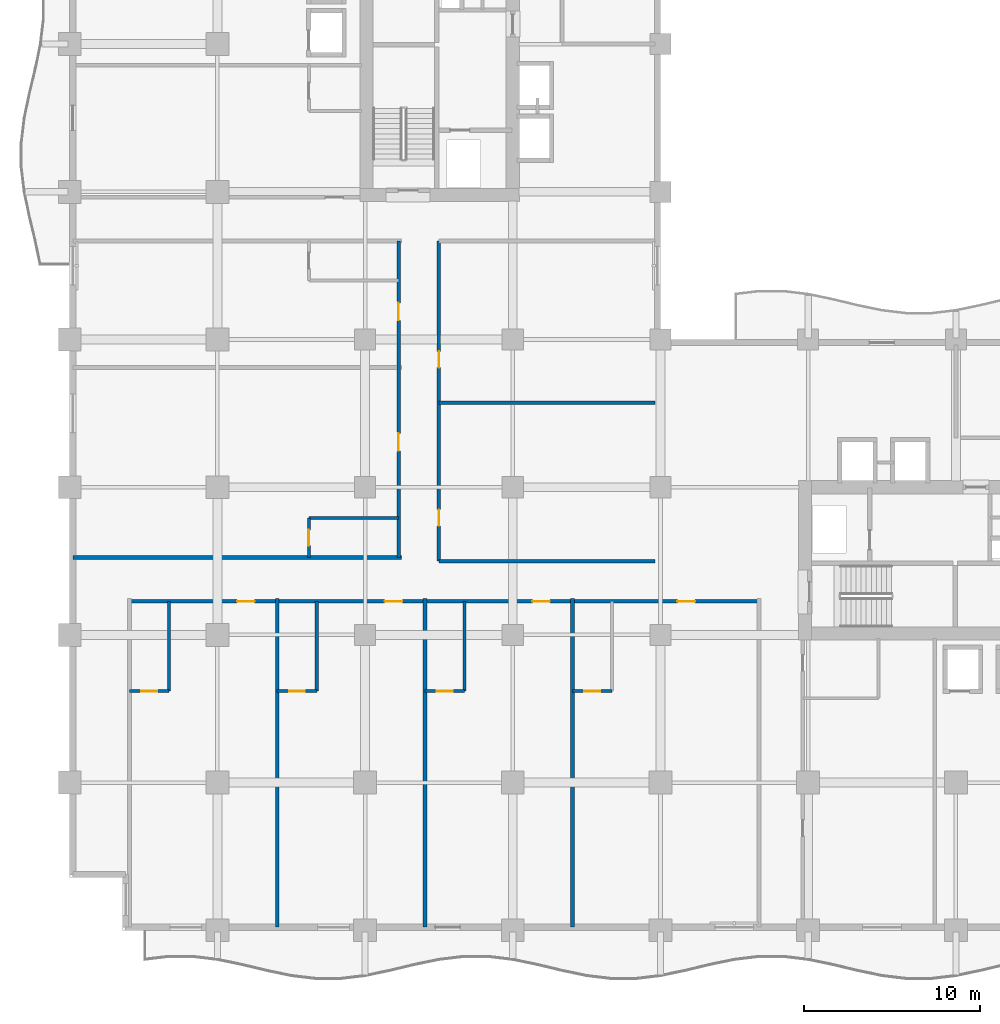
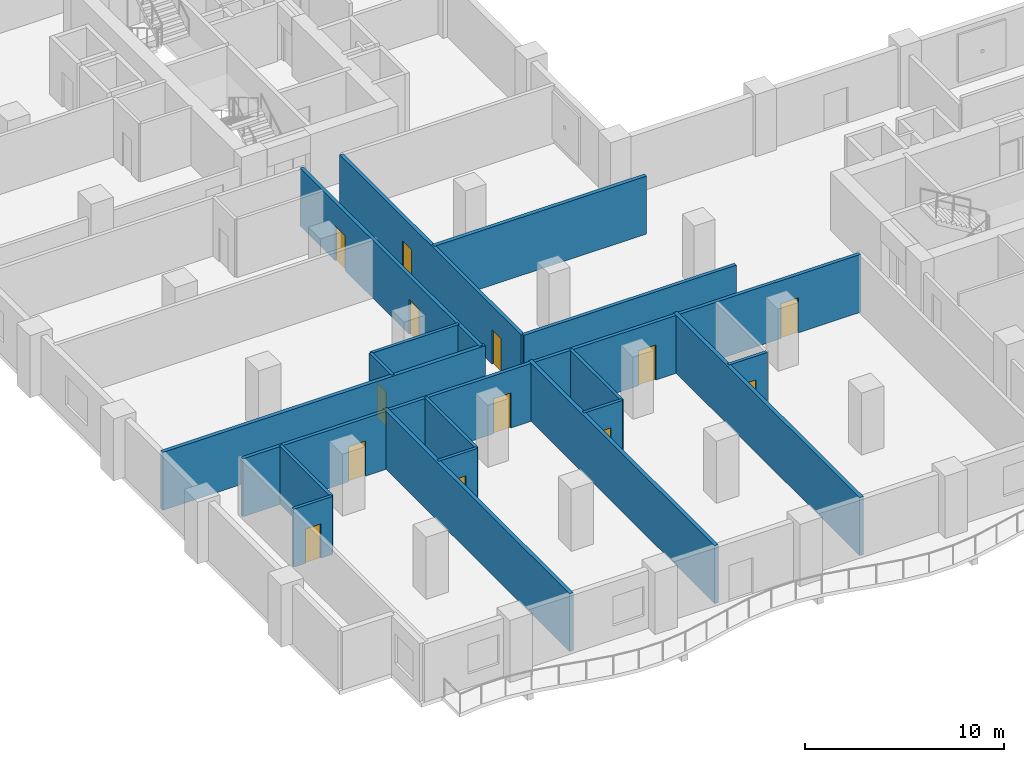
# One storey, part 4 of 18: 18 walls, 13 doors, 13 openings.
"""IFC4 building model written with IfcOpenShell, lengths in metres."""

from ifc_helpers import new_model, si_unit, direction, frame, frame_2d, origin, place, context, subcontext, project, spatial, rectangle, extrude, material, layer, layer_set, type_object, element, fill, save


model = new_model("IFC4")

# Units and contexts
model_context = context("Model", 3, precision=1e-05, world=origin(), true_north=direction((0.0, 1.0)))
body_context = subcontext(model_context, "Body", "Model", "MODEL_VIEW")
ifc_project = project(units=[si_unit("LENGTHUNIT", "METRE"), si_unit("AREAUNIT", "SQUARE_METRE"), si_unit("VOLUMEUNIT", "CUBIC_METRE"), si_unit("PLANEANGLEUNIT", "RADIAN"), si_unit("MASSUNIT", "GRAM", prefix="KILO")], contexts=[model_context])

# Site, building, storey
site_placement = place(None, origin())
site = spatial("IfcSite", under=ifc_project, at=site_placement, CompositionType="ELEMENT")
building_placement = place(site_placement, origin())
building = spatial("IfcBuilding", under=site, at=building_placement, Name="Koriwani Terraces Tower", CompositionType="ELEMENT")
storey_placement = place(building_placement, frame((0.0, 0.0, 100.0)))
storey = spatial("IfcBuildingStorey", under=building, at=storey_placement, Name="L23", CompositionType="ELEMENT", Elevation=100.0)

# Wall, openings, doors
ifc_material_1 = material(Name="Autoclaved Cellular Concrete Blockwork", Category="masonry")
ifc_layer_1 = layer(ifc_material_1, 0.199951171875, Name="Autoclaved Cellular Concrete Blockwork")
ifc_layer_set_1 = layer_set([ifc_layer_1], Name="Autoclaved Cellular Concrete Blockwork")
wall_type_1 = type_object("IfcWallType", Name="WALL_CORRIDOR_200", PredefinedType="PARTITIONING", material=ifc_layer_set_1)
wall_1_placement = place(storey_placement, frame((21.0, 21.0, 0.0), z_axis=(0.0, 0.0, 1.0), x_axis=(0.0, 1.0, 0.0)))
wall_1 = element("IfcWall", 1, at=wall_1_placement, inside=storey, type_object=wall_type_1, Name="L23 Interior Wall WIC2-W-L23", PredefinedType="PARTITIONING", context=body_context, shape_type="SweptSolid", body=[
    extrude(rectangle(XDim=18.199951171875, YDim=0.199951171875, at=frame_2d((9.10009765625, 0.0))), origin(), (0.0, 0.0, 1.0), 3.550048828125),
])
opening_1_placement = place(wall_1_placement, frame((2.0, 0.0, 0.0)))
opening_1 = element("IfcOpeningElement", 2, at=opening_1_placement, cuts=wall_1, Name="Opening D-06", PredefinedType="OPENING", context=body_context, shape_type="SweptSolid", body=[
    extrude(rectangle(XDim=0.919921875, YDim=2.10009765625, at=frame_2d((0.4599609375, 1.050048828125))), frame((0.0, 0.10986328125, 0.0), z_axis=(0.0, -1.0, 0.0), x_axis=(1.0, 0.0, 0.0)), (0.0, 0.0, 1.0), 0.219970703125),
])
opening_2_placement = place(wall_1_placement, frame((11.0, 0.0, 0.0)))
opening_2 = element("IfcOpeningElement", 3, at=opening_2_placement, cuts=wall_1, Name="Opening D-06", PredefinedType="OPENING", context=body_context, shape_type="SweptSolid", body=[
    extrude(rectangle(XDim=0.919921875, YDim=2.10009765625, at=frame_2d((0.4599609375, 1.050048828125))), frame((0.0, 0.10986328125, 0.0), z_axis=(0.0, -1.0, 0.0), x_axis=(1.0, 0.0, 0.0)), (0.0, 0.0, 1.0), 0.219970703125),
])
ifc_material_2 = material(Name="Architectural Oak Fire Door", Category="wood")
door_type_1 = type_object("IfcDoorType", Name="DOOR_ROOM_INT_920X2100", OperationType="NOTDEFINED", PredefinedType="DOOR", material=ifc_material_2)
door_1_placement = place(opening_1_placement, origin())
door_1 = element("IfcDoor", 4, at=door_1_placement, inside=storey, type_object=door_type_1, Name="L23 Inner Court Salon Door", OperationType="SINGLE_SWING_LEFT", OverallHeight=2.10009765625, OverallWidth=0.919921875, PredefinedType="DOOR", context=body_context, shape_type="SweptSolid", body=[
    extrude(rectangle(XDim=0.919921875, YDim=2.10009765625, at=frame_2d((0.4599609375, 1.050048828125))), frame((0.0, 0.02490234375, 0.0), z_axis=(0.0, -1.0, 0.0), x_axis=(1.0, 0.0, 0.0)), (0.0, 0.0, 1.0), 0.050048828125),
])
fill(opening_1, door_1)
door_2_placement = place(opening_2_placement, origin())
door_2 = element("IfcDoor", 5, at=door_2_placement, inside=storey, type_object=door_type_1, Name="L23 Inner Court Media Room Door", OperationType="SINGLE_SWING_RIGHT", OverallHeight=2.10009765625, OverallWidth=0.919921875, PredefinedType="DOOR", context=body_context, shape_type="SweptSolid", body=[
    extrude(rectangle(XDim=0.919921875, YDim=2.10009765625, at=frame_2d((0.4599609375, 1.050048828125))), frame((0.0, 0.02490234375, 0.0), z_axis=(0.0, -1.0, 0.0), x_axis=(1.0, 0.0, 0.0)), (0.0, 0.0, 1.0), 0.050048828125),
])
fill(opening_2, door_2)

# Wall
wall_2_placement = place(storey_placement, frame((21.0, 21.0, 0.0), z_axis=(0.0, 0.0, 1.0), x_axis=(1.0, 0.0, 0.0)))
element("IfcWall", 6, at=wall_2_placement, inside=storey, type_object=wall_type_1, Name="L23 Interior Wall WIC2-S-L23", PredefinedType="PARTITIONING", context=body_context, shape_type="SweptSolid", body=[
    extrude(rectangle(XDim=12.300048828125, YDim=0.199951171875, at=frame_2d((6.14990234375, 0.0))), origin(), (0.0, 0.0, 1.0), 3.550048828125),
])

# Wall, openings, doors
wall_3_placement = place(storey_placement, frame((3.39990234375, 18.699951171875, 0.0), z_axis=(0.0, 0.0, 1.0), x_axis=(1.0, 0.0, 0.0)))
wall_3 = element("IfcWall", 7, at=wall_3_placement, inside=storey, type_object=wall_type_1, Name="L23 Interior Wall WCOR-L23-SW-0", PredefinedType="PARTITIONING", context=body_context, shape_type="SweptSolid", body=[
    extrude(rectangle(XDim=35.800048828125, YDim=0.199951171875, at=frame_2d((17.89990234375, 0.0))), origin(), (0.0, 0.0, 1.0), 3.550048828125),
])
opening_3_placement = place(wall_3_placement, frame((6.114990234375, 0.0, 0.0)))
opening_3 = element("IfcOpeningElement", 8, at=opening_3_placement, cuts=wall_3, Name="Opening D-05", PredefinedType="OPENING", context=body_context, shape_type="SweptSolid", body=[
    extrude(rectangle(XDim=1.0, YDim=2.14990234375, at=frame_2d((0.5, 1.074951171875))), frame((0.0, 0.10986328125, 0.0), z_axis=(0.0, -1.0, 0.0), x_axis=(1.0, 0.0, 0.0)), (0.0, 0.0, 1.0), 0.219970703125),
])
opening_4_placement = place(wall_3_placement, frame((14.514892578125, 0.0, 0.0)))
opening_4 = element("IfcOpeningElement", 9, at=opening_4_placement, cuts=wall_3, Name="Opening D-05", PredefinedType="OPENING", context=body_context, shape_type="SweptSolid", body=[
    extrude(rectangle(XDim=1.0, YDim=2.14990234375, at=frame_2d((0.5, 1.074951171875))), frame((0.0, 0.10986328125, 0.0), z_axis=(0.0, -1.0, 0.0), x_axis=(1.0, 0.0, 0.0)), (0.0, 0.0, 1.0), 0.219970703125),
])
opening_5_placement = place(wall_3_placement, frame((22.9150390625, 0.0, 0.0)))
opening_5 = element("IfcOpeningElement", 10, at=opening_5_placement, cuts=wall_3, Name="Opening D-05", PredefinedType="OPENING", context=body_context, shape_type="SweptSolid", body=[
    extrude(rectangle(XDim=1.0, YDim=2.14990234375, at=frame_2d((0.5, 1.074951171875))), frame((0.0, 0.10986328125, 0.0), z_axis=(0.0, -1.0, 0.0), x_axis=(1.0, 0.0, 0.0)), (0.0, 0.0, 1.0), 0.219970703125),
])
opening_6_placement = place(wall_3_placement, frame((31.1650390625, 0.0, 0.0)))
opening_6 = element("IfcOpeningElement", 11, at=opening_6_placement, cuts=wall_3, Name="Opening D-05", PredefinedType="OPENING", context=body_context, shape_type="SweptSolid", body=[
    extrude(rectangle(XDim=1.0, YDim=2.14990234375, at=frame_2d((0.5, 1.074951171875))), frame((0.0, 0.10986328125, 0.0), z_axis=(0.0, -1.0, 0.0), x_axis=(1.0, 0.0, 0.0)), (0.0, 0.0, 1.0), 0.219970703125),
])
door_type_2 = type_object("IfcDoorType", Name="DOOR_SUITE_ENTRY_1000X2150", OperationType="NOTDEFINED", PredefinedType="DOOR", material=ifc_material_2)
door_3_placement = place(opening_3_placement, origin())
door_3 = element("IfcDoor", 12, at=door_3_placement, inside=storey, type_object=door_type_2, Name="Luxury Hotel Suite 23SW1 Entrance Door", OperationType="SINGLE_SWING_LEFT", OverallHeight=2.14990234375, OverallWidth=1.0, PredefinedType="DOOR", context=body_context, shape_type="SweptSolid", body=[
    extrude(rectangle(XDim=1.0, YDim=2.14990234375, at=frame_2d((0.5, 1.074951171875))), frame((0.0, 0.02490234375, 0.0), z_axis=(0.0, -1.0, 0.0), x_axis=(1.0, 0.0, 0.0)), (0.0, 0.0, 1.0), 0.050048828125),
])
fill(opening_3, door_3)
door_4_placement = place(opening_4_placement, origin())
door_4 = element("IfcDoor", 13, at=door_4_placement, inside=storey, type_object=door_type_2, Name="Luxury Hotel Suite 23SW2 Entrance Door", OperationType="SINGLE_SWING_LEFT", OverallHeight=2.14990234375, OverallWidth=1.0, PredefinedType="DOOR", context=body_context, shape_type="SweptSolid", body=[
    extrude(rectangle(XDim=1.0, YDim=2.14990234375, at=frame_2d((0.5, 1.074951171875))), frame((0.0, 0.02490234375, 0.0), z_axis=(0.0, -1.0, 0.0), x_axis=(1.0, 0.0, 0.0)), (0.0, 0.0, 1.0), 0.050048828125),
])
fill(opening_4, door_4)
door_5_placement = place(opening_5_placement, origin())
door_5 = element("IfcDoor", 14, at=door_5_placement, inside=storey, type_object=door_type_2, Name="Luxury Hotel Suite 23SW3 Entrance Door", OperationType="SINGLE_SWING_LEFT", OverallHeight=2.14990234375, OverallWidth=1.0, PredefinedType="DOOR", context=body_context, shape_type="SweptSolid", body=[
    extrude(rectangle(XDim=1.0, YDim=2.14990234375, at=frame_2d((0.5, 1.074951171875))), frame((0.0, 0.02490234375, 0.0), z_axis=(0.0, -1.0, 0.0), x_axis=(1.0, 0.0, 0.0)), (0.0, 0.0, 1.0), 0.050048828125),
])
fill(opening_5, door_5)
door_6_placement = place(opening_6_placement, origin())
door_6 = element("IfcDoor", 15, at=door_6_placement, inside=storey, type_object=door_type_2, Name="Luxury Hotel Suite 23SW4 Entrance Door", OperationType="SINGLE_SWING_LEFT", OverallHeight=2.14990234375, OverallWidth=1.0, PredefinedType="DOOR", context=body_context, shape_type="SweptSolid", body=[
    extrude(rectangle(XDim=1.0, YDim=2.14990234375, at=frame_2d((0.5, 1.074951171875))), frame((0.0, 0.02490234375, 0.0), z_axis=(0.0, -1.0, 0.0), x_axis=(1.0, 0.0, 0.0)), (0.0, 0.0, 1.0), 0.050048828125),
])
fill(opening_6, door_6)

wall_4_placement = place(storey_placement, frame((18.699951171875, 21.199951171875, 0.0), z_axis=(0.0, 0.0, 1.0), x_axis=(0.0, 1.0, 0.0)))
wall_4 = element("IfcWall", 16, at=wall_4_placement, inside=storey, type_object=wall_type_1, Name="L23 Interior Wall WCOR-L23-NW-0", PredefinedType="PARTITIONING", context=body_context, shape_type="SweptSolid", body=[
    extrude(rectangle(XDim=18.0, YDim=0.199951171875, at=frame_2d((9.0, 0.0))), origin(), (0.0, 0.0, 1.0), 3.550048828125),
])
opening_7_placement = place(wall_4_placement, frame((6.06494140625, 0.0, 0.0)))
opening_7 = element("IfcOpeningElement", 17, at=opening_7_placement, cuts=wall_4, Name="Opening D-05", PredefinedType="OPENING", context=body_context, shape_type="SweptSolid", body=[
    extrude(rectangle(XDim=1.0, YDim=2.14990234375, at=frame_2d((0.5, 1.074951171875))), frame((0.0, 0.10986328125, 0.0), z_axis=(0.0, -1.0, 0.0), x_axis=(1.0, 0.0, 0.0)), (0.0, 0.0, 1.0), 0.219970703125),
])
opening_8_placement = place(wall_4_placement, frame((13.485107421875, 0.0, 0.0)))
opening_8 = element("IfcOpeningElement", 18, at=opening_8_placement, cuts=wall_4, Name="Opening D-05", PredefinedType="OPENING", context=body_context, shape_type="SweptSolid", body=[
    extrude(rectangle(XDim=1.0, YDim=2.14990234375, at=frame_2d((0.5, 1.074951171875))), frame((0.0, 0.10986328125, 0.0), z_axis=(0.0, -1.0, 0.0), x_axis=(1.0, 0.0, 0.0)), (0.0, 0.0, 1.0), 0.219970703125),
])
door_7_placement = place(opening_7_placement, origin())
door_7 = element("IfcDoor", 19, at=door_7_placement, inside=storey, type_object=door_type_2, Name="Luxury Hotel Suite 23NW1 Entrance Door", OperationType="SINGLE_SWING_LEFT", OverallHeight=2.14990234375, OverallWidth=1.0, PredefinedType="DOOR", context=body_context, shape_type="SweptSolid", body=[
    extrude(rectangle(XDim=1.0, YDim=2.14990234375, at=frame_2d((0.5, 1.074951171875))), frame((0.0, 0.02490234375, 0.0), z_axis=(0.0, -1.0, 0.0), x_axis=(1.0, 0.0, 0.0)), (0.0, 0.0, 1.0), 0.050048828125),
])
fill(opening_7, door_7)
door_8_placement = place(opening_8_placement, origin())
door_8 = element("IfcDoor", 20, at=door_8_placement, inside=storey, type_object=door_type_2, Name="Luxury Hotel Suite 23NW2 Entrance Door", OperationType="SINGLE_SWING_LEFT", OverallHeight=2.14990234375, OverallWidth=1.0, PredefinedType="DOOR", context=body_context, shape_type="SweptSolid", body=[
    extrude(rectangle(XDim=1.0, YDim=2.14990234375, at=frame_2d((0.5, 1.074951171875))), frame((0.0, 0.02490234375, 0.0), z_axis=(0.0, -1.0, 0.0), x_axis=(1.0, 0.0, 0.0)), (0.0, 0.0, 1.0), 0.050048828125),
])
fill(opening_8, door_8)

# Walls
ifc_layer_2 = layer(ifc_material_1, 0.219970703125, Name="Autoclaved Cellular Concrete Blockwork")
ifc_layer_set_2 = layer_set([ifc_layer_2], Name="Autoclaved Cellular Concrete Blockwork")
wall_type_2 = type_object("IfcWallType", Name="WALL_DEMISING_220", PredefinedType="PARTITIONING", material=ifc_layer_set_2)
wall_5_placement = place(storey_placement, frame((21.0, 30.0, 0.0), z_axis=(0.0, 0.0, 1.0), x_axis=(1.0, 0.0, 0.0)))
element("IfcWall", 21, at=wall_5_placement, inside=storey, type_object=wall_type_2, Name="L23 Interior Wall WIC2-M-L23", PredefinedType="PARTITIONING", context=body_context, shape_type="SweptSolid", body=[
    extrude(rectangle(XDim=12.300048828125, YDim=0.219970703125, at=frame_2d((6.14990234375, 0.0))), origin(), (0.0, 0.0, 1.0), 3.550048828125),
])
for number, where, z_axis, x_axis, name in (
    (22, (11.800048828125, 0.199951171875, 0.0), (0.0, 0.0, 1.0), (0.0, 1.0, 0.0), "L23 Interior Wall WDEM-L23-SW-1"),
    (23, (20.199951171875, 0.199951171875, 0.0), (0.0, 0.0, 1.0), (0.0, 1.0, 0.0), "L23 Interior Wall WDEM-L23-SW-2"),
    (24, (28.60009765625, 0.199951171875, 0.0), (0.0, 0.0, 1.0), (0.0, 1.0, 0.0), "L23 Interior Wall WDEM-L23-SW-3"),
    (25, (0.199951171875, 21.199951171875, 0.0), (0.0, 0.0, 1.0), (1.0, 0.0, 0.0), "L23 Interior Wall WDEM-L23-NW-0"),
):
    element("IfcWall", number, at=place(storey_placement, frame(where, z_axis=z_axis, x_axis=x_axis)), inside=storey, type_object=wall_type_2, Name=name, PredefinedType="PARTITIONING", context=body_context, shape_type="SweptSolid", body=[
        extrude(rectangle(XDim=18.679931640625, YDim=0.219970703125, at=frame_2d((9.33984375, 0.0))), origin(), (0.0, 0.0, 1.0), 3.550048828125),
    ])

# Wall, opening, door
ifc_material_3 = material(Name="Fire-Rated Acoustic Gypsum Partition", Category="masonry")
ifc_layer_3 = layer(ifc_material_3, 0.179931640625, Name="Fire-Rated Acoustic Gypsum Partition")
ifc_layer_set_3 = layer_set([ifc_layer_3], Name="Fire-Rated Acoustic Gypsum Partition")
wall_type_3 = type_object("IfcWallType", Name="WALL_PLUMBING_180", PredefinedType="PLUMBINGWALL", material=ifc_layer_set_3)
wall_6_placement = place(storey_placement, frame((3.39990234375, 13.60009765625, 0.0), z_axis=(0.0, 0.0, 1.0), x_axis=(1.0, 0.0, 0.0)))
wall_6 = element("IfcWall", 26, at=wall_6_placement, inside=storey, type_object=wall_type_3, Name="L23 Interior Wall WBTH1-L23-SW-0", PredefinedType="PLUMBINGWALL", context=body_context, shape_type="SweptSolid", body=[
    extrude(rectangle(XDim=2.25, YDim=0.179931640625, at=frame_2d((1.125, 0.0))), origin(), (0.0, 0.0, 1.0), 3.550048828125),
])
opening_9_placement = place(wall_6_placement, frame((0.675048828125, 0.0, 0.0)))
opening_9 = element("IfcOpeningElement", 27, at=opening_9_placement, cuts=wall_6, Name="Opening D-07", PredefinedType="OPENING", context=body_context, shape_type="SweptSolid", body=[
    extrude(rectangle(XDim=0.89990234375, YDim=2.10009765625, at=frame_2d((0.449951171875, 1.050048828125))), frame((0.0, 0.10009765625, 0.0), z_axis=(0.0, -1.0, 0.0), x_axis=(1.0, 0.0, 0.0)), (0.0, 0.0, 1.0), 0.199951171875),
])
door_type_3 = type_object("IfcDoorType", Name="DOOR_BATH_INT_900X2100", OperationType="NOTDEFINED", PredefinedType="DOOR", material=ifc_material_2)
door_9_placement = place(opening_9_placement, origin())
door_9 = element("IfcDoor", 28, at=door_9_placement, inside=storey, type_object=door_type_3, Name="En-Suite Bathroom 23SW1 Door", OperationType="SINGLE_SWING_RIGHT", OverallHeight=2.10009765625, OverallWidth=0.89990234375, PredefinedType="DOOR", context=body_context, shape_type="SweptSolid", body=[
    extrude(rectangle(XDim=0.89990234375, YDim=2.10009765625, at=frame_2d((0.449951171875, 1.050048828125))), frame((0.0, 0.02490234375, 0.0), z_axis=(0.0, -1.0, 0.0), x_axis=(1.0, 0.0, 0.0)), (0.0, 0.0, 1.0), 0.050048828125),
])
fill(opening_9, door_9)

# Wall
wall_7_placement = place(storey_placement, frame((5.64990234375, 13.60009765625, 0.0), z_axis=(0.0, 0.0, 1.0), x_axis=(0.0, 1.0, 0.0)))
element("IfcWall", 29, at=wall_7_placement, inside=storey, type_object=wall_type_3, Name="L23 Interior Wall WBTH2-L23-SW-0", PredefinedType="PLUMBINGWALL", context=body_context, shape_type="SweptSolid", body=[
    extrude(rectangle(XDim=5.099853515625, YDim=0.179931640625, at=frame_2d((2.5498046875, 0.0))), origin(), (0.0, 0.0, 1.0), 3.550048828125),
])

# Wall, opening, door
wall_8_placement = place(storey_placement, frame((11.800048828125, 13.60009765625, 0.0), z_axis=(0.0, 0.0, 1.0), x_axis=(1.0, 0.0, 0.0)))
wall_8 = element("IfcWall", 30, at=wall_8_placement, inside=storey, type_object=wall_type_3, Name="L23 Interior Wall WBTH1-L23-SW-1", PredefinedType="PLUMBINGWALL", context=body_context, shape_type="SweptSolid", body=[
    extrude(rectangle(XDim=2.25, YDim=0.179931640625, at=frame_2d((1.125, 0.0))), origin(), (0.0, 0.0, 1.0), 3.550048828125),
])
opening_10_placement = place(wall_8_placement, frame((0.675048828125, 0.0, 0.0)))
opening_10 = element("IfcOpeningElement", 31, at=opening_10_placement, cuts=wall_8, Name="Opening D-07", PredefinedType="OPENING", context=body_context, shape_type="SweptSolid", body=[
    extrude(rectangle(XDim=0.89990234375, YDim=2.10009765625, at=frame_2d((0.449951171875, 1.050048828125))), frame((0.0, 0.10009765625, 0.0), z_axis=(0.0, -1.0, 0.0), x_axis=(1.0, 0.0, 0.0)), (0.0, 0.0, 1.0), 0.199951171875),
])
door_10_placement = place(opening_10_placement, origin())
door_10 = element("IfcDoor", 32, at=door_10_placement, inside=storey, type_object=door_type_3, Name="En-Suite Bathroom 23SW2 Door", OperationType="SINGLE_SWING_RIGHT", OverallHeight=2.10009765625, OverallWidth=0.89990234375, PredefinedType="DOOR", context=body_context, shape_type="SweptSolid", body=[
    extrude(rectangle(XDim=0.89990234375, YDim=2.10009765625, at=frame_2d((0.449951171875, 1.050048828125))), frame((0.0, 0.02490234375, 0.0), z_axis=(0.0, -1.0, 0.0), x_axis=(1.0, 0.0, 0.0)), (0.0, 0.0, 1.0), 0.050048828125),
])
fill(opening_10, door_10)

# Wall
wall_9_placement = place(storey_placement, frame((14.050048828125, 13.60009765625, 0.0), z_axis=(0.0, 0.0, 1.0), x_axis=(0.0, 1.0, 0.0)))
element("IfcWall", 33, at=wall_9_placement, inside=storey, type_object=wall_type_3, Name="L23 Interior Wall WBTH2-L23-SW-1", PredefinedType="PLUMBINGWALL", context=body_context, shape_type="SweptSolid", body=[
    extrude(rectangle(XDim=5.099853515625, YDim=0.179931640625, at=frame_2d((2.5498046875, 0.0))), origin(), (0.0, 0.0, 1.0), 3.550048828125),
])

# Wall, opening, door
wall_10_placement = place(storey_placement, frame((20.199951171875, 13.60009765625, 0.0), z_axis=(0.0, 0.0, 1.0), x_axis=(1.0, 0.0, 0.0)))
wall_10 = element("IfcWall", 34, at=wall_10_placement, inside=storey, type_object=wall_type_3, Name="L23 Interior Wall WBTH1-L23-SW-2", PredefinedType="PLUMBINGWALL", context=body_context, shape_type="SweptSolid", body=[
    extrude(rectangle(XDim=2.25, YDim=0.179931640625, at=frame_2d((1.125, 0.0))), origin(), (0.0, 0.0, 1.0), 3.550048828125),
])
opening_11_placement = place(wall_10_placement, frame((0.675048828125, 0.0, 0.0)))
opening_11 = element("IfcOpeningElement", 35, at=opening_11_placement, cuts=wall_10, Name="Opening D-07", PredefinedType="OPENING", context=body_context, shape_type="SweptSolid", body=[
    extrude(rectangle(XDim=0.89990234375, YDim=2.10009765625, at=frame_2d((0.449951171875, 1.050048828125))), frame((0.0, 0.10009765625, 0.0), z_axis=(0.0, -1.0, 0.0), x_axis=(1.0, 0.0, 0.0)), (0.0, 0.0, 1.0), 0.199951171875),
])
door_11_placement = place(opening_11_placement, origin())
door_11 = element("IfcDoor", 36, at=door_11_placement, inside=storey, type_object=door_type_3, Name="En-Suite Bathroom 23SW3 Door", OperationType="SINGLE_SWING_RIGHT", OverallHeight=2.10009765625, OverallWidth=0.89990234375, PredefinedType="DOOR", context=body_context, shape_type="SweptSolid", body=[
    extrude(rectangle(XDim=0.89990234375, YDim=2.10009765625, at=frame_2d((0.449951171875, 1.050048828125))), frame((0.0, 0.02490234375, 0.0), z_axis=(0.0, -1.0, 0.0), x_axis=(1.0, 0.0, 0.0)), (0.0, 0.0, 1.0), 0.050048828125),
])
fill(opening_11, door_11)

# Wall
wall_11_placement = place(storey_placement, frame((22.449951171875, 13.60009765625, 0.0), z_axis=(0.0, 0.0, 1.0), x_axis=(0.0, 1.0, 0.0)))
element("IfcWall", 37, at=wall_11_placement, inside=storey, type_object=wall_type_3, Name="L23 Interior Wall WBTH2-L23-SW-2", PredefinedType="PLUMBINGWALL", context=body_context, shape_type="SweptSolid", body=[
    extrude(rectangle(XDim=5.099853515625, YDim=0.179931640625, at=frame_2d((2.5498046875, 0.0))), origin(), (0.0, 0.0, 1.0), 3.550048828125),
])

# Wall, opening, door
wall_12_placement = place(storey_placement, frame((28.60009765625, 13.60009765625, 0.0), z_axis=(0.0, 0.0, 1.0), x_axis=(1.0, 0.0, 0.0)))
wall_12 = element("IfcWall", 38, at=wall_12_placement, inside=storey, type_object=wall_type_3, Name="L23 Interior Wall WBTH1-L23-SW-3", PredefinedType="PLUMBINGWALL", context=body_context, shape_type="SweptSolid", body=[
    extrude(rectangle(XDim=2.25, YDim=0.179931640625, at=frame_2d((1.125, 0.0))), origin(), (0.0, 0.0, 1.0), 3.550048828125),
])
opening_12_placement = place(wall_12_placement, frame((0.675048828125, 0.0, 0.0)))
opening_12 = element("IfcOpeningElement", 39, at=opening_12_placement, cuts=wall_12, Name="Opening D-07", PredefinedType="OPENING", context=body_context, shape_type="SweptSolid", body=[
    extrude(rectangle(XDim=0.89990234375, YDim=2.10009765625, at=frame_2d((0.449951171875, 1.050048828125))), frame((0.0, 0.10009765625, 0.0), z_axis=(0.0, -1.0, 0.0), x_axis=(1.0, 0.0, 0.0)), (0.0, 0.0, 1.0), 0.199951171875),
])
door_12_placement = place(opening_12_placement, origin())
door_12 = element("IfcDoor", 40, at=door_12_placement, inside=storey, type_object=door_type_3, Name="En-Suite Bathroom 23SW4 Door", OperationType="SINGLE_SWING_RIGHT", OverallHeight=2.10009765625, OverallWidth=0.89990234375, PredefinedType="DOOR", context=body_context, shape_type="SweptSolid", body=[
    extrude(rectangle(XDim=0.89990234375, YDim=2.10009765625, at=frame_2d((0.449951171875, 1.050048828125))), frame((0.0, 0.02490234375, 0.0), z_axis=(0.0, -1.0, 0.0), x_axis=(1.0, 0.0, 0.0)), (0.0, 0.0, 1.0), 0.050048828125),
])
fill(opening_12, door_12)

wall_13_placement = place(storey_placement, frame((13.60009765625, 21.199951171875, 0.0), z_axis=(0.0, 0.0, 1.0), x_axis=(0.0, 1.0, 0.0)))
wall_13 = element("IfcWall", 41, at=wall_13_placement, inside=storey, type_object=wall_type_3, Name="L23 Interior Wall WBTH1-L23-NW-0", PredefinedType="PLUMBINGWALL", context=body_context, shape_type="SweptSolid", body=[
    extrude(rectangle(XDim=2.25, YDim=0.179931640625, at=frame_2d((1.125, 0.0))), origin(), (0.0, 0.0, 1.0), 3.550048828125),
])
opening_13_placement = place(wall_13_placement, frame((0.675048828125, 0.0, 0.0)))
opening_13 = element("IfcOpeningElement", 42, at=opening_13_placement, cuts=wall_13, Name="Opening D-07", PredefinedType="OPENING", context=body_context, shape_type="SweptSolid", body=[
    extrude(rectangle(XDim=0.89990234375, YDim=2.10009765625, at=frame_2d((0.449951171875, 1.050048828125))), frame((0.0, 0.10009765625, 0.0), z_axis=(0.0, -1.0, 0.0), x_axis=(1.0, 0.0, 0.0)), (0.0, 0.0, 1.0), 0.199951171875),
])
door_13_placement = place(opening_13_placement, origin())
door_13 = element("IfcDoor", 43, at=door_13_placement, inside=storey, type_object=door_type_3, Name="En-Suite Bathroom 23NW1 Door", OperationType="SINGLE_SWING_RIGHT", OverallHeight=2.10009765625, OverallWidth=0.89990234375, PredefinedType="DOOR", context=body_context, shape_type="SweptSolid", body=[
    extrude(rectangle(XDim=0.89990234375, YDim=2.10009765625, at=frame_2d((0.449951171875, 1.050048828125))), frame((0.0, 0.02490234375, 0.0), z_axis=(0.0, -1.0, 0.0), x_axis=(1.0, 0.0, 0.0)), (0.0, 0.0, 1.0), 0.050048828125),
])
fill(opening_13, door_13)

# Wall
wall_14_placement = place(storey_placement, frame((13.60009765625, 23.449951171875, 0.0), z_axis=(0.0, 0.0, 1.0), x_axis=(1.0, 0.0, 0.0)))
element("IfcWall", 44, at=wall_14_placement, inside=storey, type_object=wall_type_3, Name="L23 Interior Wall WBTH2-L23-NW-0", PredefinedType="PLUMBINGWALL", context=body_context, shape_type="SweptSolid", body=[
    extrude(rectangle(XDim=5.099853515625, YDim=0.179931640625, at=frame_2d((2.5498046875, 0.0))), origin(), (0.0, 0.0, 1.0), 3.550048828125),
])

save(model, "model.ifc")
